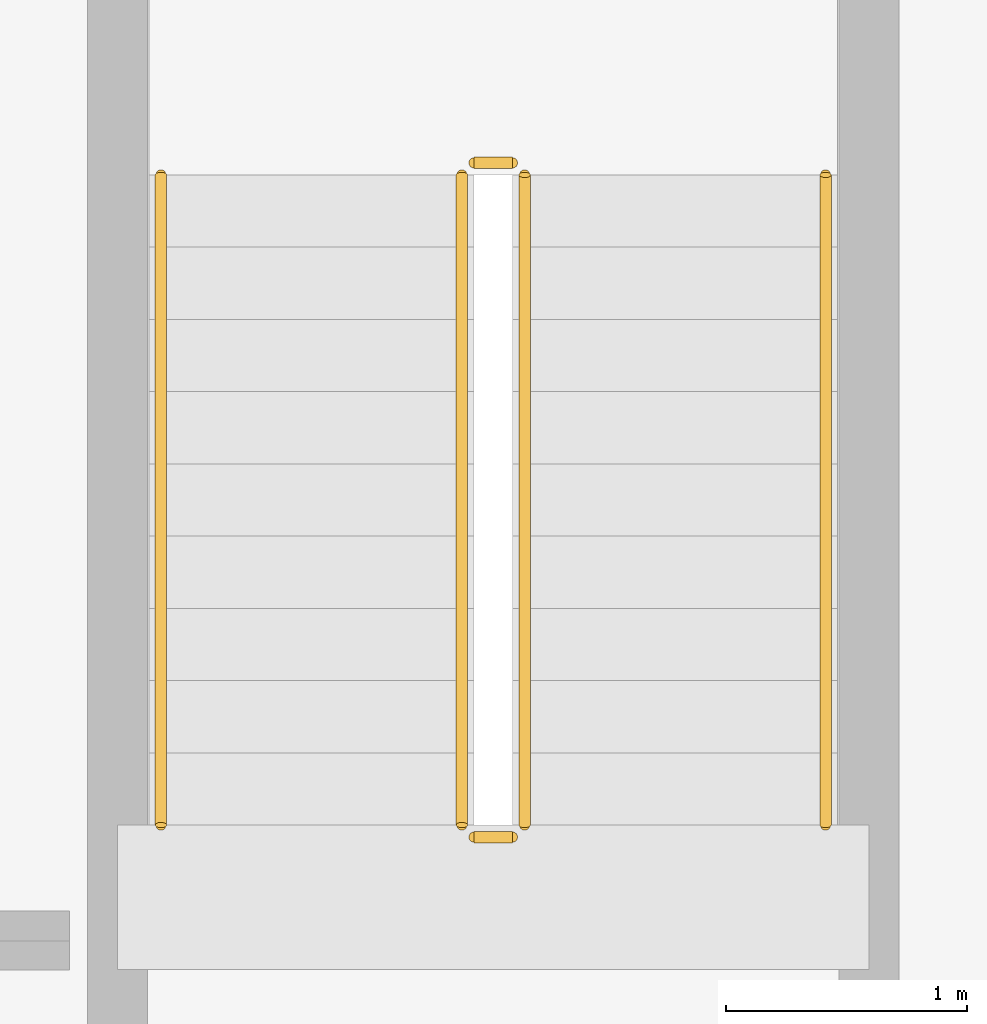
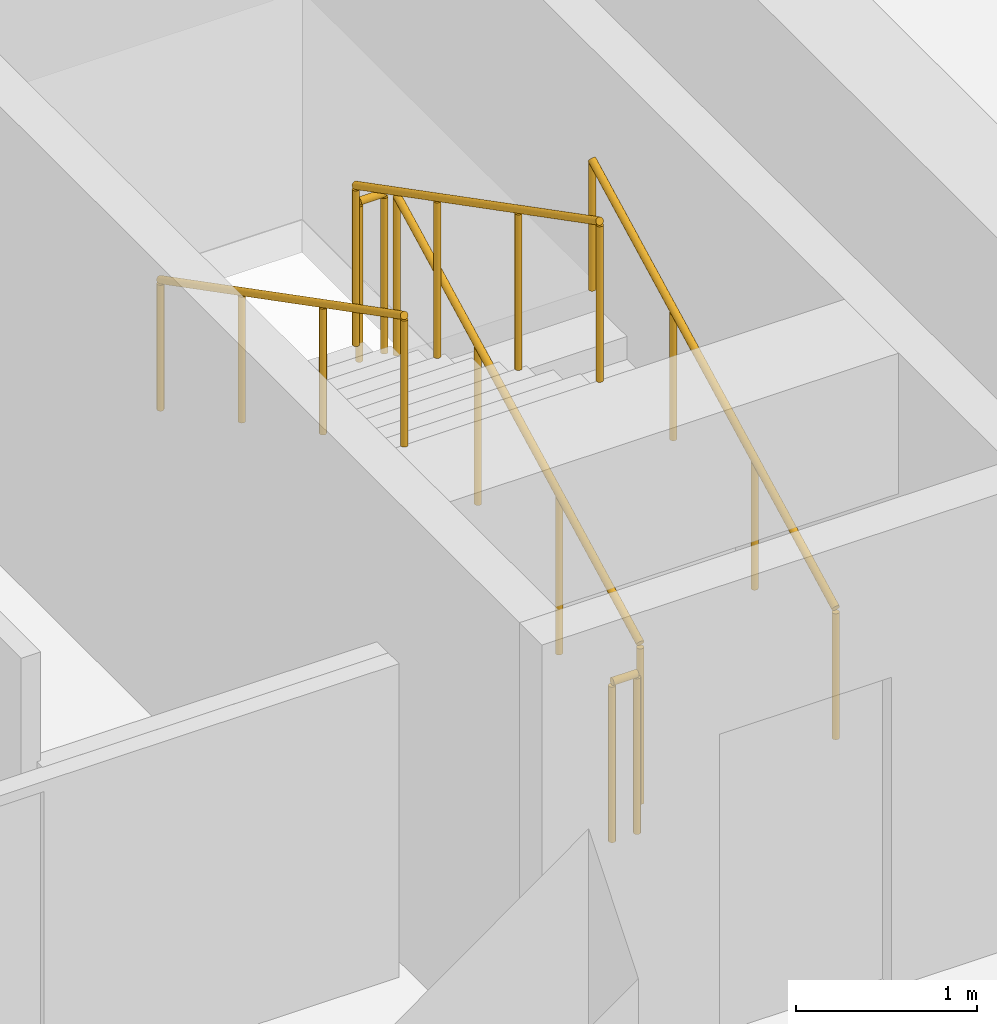
# One storey, part 9 of 9: 6 railings.
"""IFC4 building model written with IfcOpenShell, lengths in metres."""

from ifc_helpers import new_model, si_unit, direction, frame, origin, origin_2d, place, context, subcontext, project, spatial, circle, extrude, material, type_object, element, save


model = new_model("IFC4")

# Units and contexts
model_context = context("Model", 3, precision=1e-05, world=origin(), true_north=direction((0.0, 1.0)))
body_context = subcontext(model_context, "Body", "Model", "MODEL_VIEW")
ifc_project = project(units=[si_unit("LENGTHUNIT", "METRE"), si_unit("AREAUNIT", "SQUARE_METRE"), si_unit("VOLUMEUNIT", "CUBIC_METRE"), si_unit("PLANEANGLEUNIT", "RADIAN"), si_unit("MASSUNIT", "GRAM", prefix="KILO")], contexts=[model_context])

# Site, building, storey
site_placement = place(None, origin())
site = spatial("IfcSite", under=ifc_project, at=site_placement, CompositionType="ELEMENT")
building_placement = place(site_placement, origin())
building = spatial("IfcBuilding", under=site, at=building_placement, Name="Solvane Sanctuary Tower", CompositionType="ELEMENT")
storey_placement = place(building_placement, frame((0.0, 0.0, 229.5)))
storey = spatial("IfcBuildingStorey", under=building, at=storey_placement, Name="L70", CompositionType="ELEMENT", Elevation=229.5)

# Railings
ifc_material = material(Name="Architectural Stainless Steel 316", Category="steel")
railing_type_1 = type_object("IfcRailingType", Name="Railing GR-BALC-1150", PredefinedType="BALUSTRADE", material=ifc_material)
railing_1_placement = place(storey_placement, frame((46.340087890625, 19.699951171875, 0.155029296875)))
element("IfcRailing", 1, at=railing_1_placement, inside=storey, type_object=railing_type_1, Name="L70 ST-2 stair guard 1", PredefinedType="BALUSTRADE", context=body_context, shape_type="SweptSolid", body=[
    extrude(circle(Radius=0.02392578125, at=origin_2d()), frame((0.0, 0.0, 1.076171875), z_axis=(0.0, 0.888419900624, 0.459031676658), x_axis=(-1.0, 0.0, 0.0)), (0.0, 0.0, 1.0), 3.0390625),
    extrude(circle(Radius=0.02099609375, at=origin_2d()), origin(), (0.0, 0.0, 1.0), 1.052001953125),
    extrude(circle(Radius=0.02099609375, at=origin_2d()), frame((0.0, 0.89990234375, 0.465087890625)), (0.0, 0.0, 1.0), 1.052001953125),
    extrude(circle(Radius=0.02099609375, at=origin_2d()), frame((0.0, 1.800048828125, 0.929931640625)), (0.0, 0.0, 1.0), 1.052001953125),
    extrude(circle(Radius=0.02099609375, at=origin_2d()), frame((0.0, 2.699951171875, 1.39501953125)), (0.0, 0.0, 1.0), 1.052001953125),
])
railing_2_placement = place(storey_placement, frame((46.2900390625, 22.449951171875, 1.550048828125)))
element("IfcRailing", 2, at=railing_2_placement, inside=storey, type_object=railing_type_1, Name="L70 ST-2 stair guard 2", PredefinedType="BALUSTRADE", context=body_context, shape_type="SweptSolid", body=[
    extrude(circle(Radius=0.02392578125, at=origin_2d()), frame((0.0, 0.0, 1.076171875), z_axis=(-1.0, 0.0, 0.0), x_axis=(0.0, -1.0, 0.0)), (0.0, 0.0, 1.0), 0.16015625),
    extrude(circle(Radius=0.02099609375, at=origin_2d()), origin(), (0.0, 0.0, 1.0), 1.052001953125),
    extrude(circle(Radius=0.02099609375, at=origin_2d()), frame((-0.16015625, 0.0, 0.0)), (0.0, 0.0, 1.0), 1.052001953125),
])
railing_3_placement = place(storey_placement, frame((46.080078125, 22.39990234375, 1.705078125)))
element("IfcRailing", 3, at=railing_3_placement, inside=storey, type_object=railing_type_1, Name="L70 ST-2 stair guard 3", PredefinedType="BALUSTRADE", context=body_context, shape_type="SweptSolid", body=[
    extrude(circle(Radius=0.02392578125, at=origin_2d()), frame((0.0, 0.0, 1.076171875), z_axis=(0.0, -0.888419900624, 0.459031676658), x_axis=(1.0, 0.0, 0.0)), (0.0, 0.0, 1.0), 3.0390625),
    extrude(circle(Radius=0.02099609375, at=origin_2d()), origin(), (0.0, 0.0, 1.0), 1.052001953125),
    extrude(circle(Radius=0.02099609375, at=origin_2d()), frame((0.0, -0.89990234375, 0.465087890625)), (0.0, 0.0, 1.0), 1.052001953125),
    extrude(circle(Radius=0.02099609375, at=origin_2d()), frame((0.0, -1.800048828125, 0.929931640625)), (0.0, 0.0, 1.0), 1.052001953125),
    extrude(circle(Radius=0.02099609375, at=origin_2d()), frame((0.0, -2.699951171875, 1.39501953125)), (0.0, 0.0, 1.0), 1.052001953125),
])
railing_4_placement = place(storey_placement, frame((46.2900390625, 19.64990234375, 0.0)))
element("IfcRailing", 4, at=railing_4_placement, inside=storey, type_object=railing_type_1, Name="L70 ST-2 stair guard 4", PredefinedType="BALUSTRADE", context=body_context, shape_type="SweptSolid", body=[
    extrude(circle(Radius=0.02392578125, at=origin_2d()), frame((0.0, 0.0, 1.076171875), z_axis=(-1.0, 0.0, 0.0), x_axis=(0.0, -1.0, 0.0)), (0.0, 0.0, 1.0), 0.16015625),
    extrude(circle(Radius=0.02099609375, at=origin_2d()), origin(), (0.0, 0.0, 1.0), 1.052001953125),
    extrude(circle(Radius=0.02099609375, at=origin_2d()), frame((-0.16015625, 0.0, 0.0)), (0.0, 0.0, 1.0), 1.052001953125),
])
railing_type_2 = type_object("IfcRailingType", Name="Railing HR-STAIR-920", PredefinedType="HANDRAIL", material=ifc_material)
railing_5_placement = place(storey_placement, frame((47.590087890625, 19.699951171875, 0.155029296875)))
element("IfcRailing", 5, at=railing_5_placement, inside=storey, type_object=railing_type_2, Name="L70 ST-2 stair handrail 1", PredefinedType="HANDRAIL", context=body_context, shape_type="SweptSolid", body=[
    extrude(circle(Radius=0.02392578125, at=origin_2d()), frame((0.0, 0.0, 0.8759765625), z_axis=(0.0, 0.888419900624, 0.459031676658), x_axis=(-1.0, 0.0, 0.0)), (0.0, 0.0, 1.0), 3.0390625),
    extrude(circle(Radius=0.02099609375, at=origin_2d()), origin(), (0.0, 0.0, 1.0), 0.851806640625),
    extrude(circle(Radius=0.02099609375, at=origin_2d()), frame((0.0, 0.89990234375, 0.465087890625)), (0.0, 0.0, 1.0), 0.851806640625),
    extrude(circle(Radius=0.02099609375, at=origin_2d()), frame((0.0, 1.800048828125, 0.929931640625)), (0.0, 0.0, 1.0), 0.851806640625),
    extrude(circle(Radius=0.02099609375, at=origin_2d()), frame((0.0, 2.699951171875, 1.39501953125)), (0.0, 0.0, 1.0), 0.851806640625),
])
railing_6_placement = place(storey_placement, frame((44.830078125, 22.39990234375, 1.705078125)))
element("IfcRailing", 6, at=railing_6_placement, inside=storey, type_object=railing_type_2, Name="L70 ST-2 stair handrail 2", PredefinedType="HANDRAIL", context=body_context, shape_type="SweptSolid", body=[
    extrude(circle(Radius=0.02392578125, at=origin_2d()), frame((0.0, 0.0, 0.8759765625), z_axis=(0.0, -0.888419900624, 0.459031676658), x_axis=(1.0, 0.0, 0.0)), (0.0, 0.0, 1.0), 3.0390625),
    extrude(circle(Radius=0.02099609375, at=origin_2d()), origin(), (0.0, 0.0, 1.0), 0.851806640625),
    extrude(circle(Radius=0.02099609375, at=origin_2d()), frame((0.0, -0.89990234375, 0.465087890625)), (0.0, 0.0, 1.0), 0.851806640625),
    extrude(circle(Radius=0.02099609375, at=origin_2d()), frame((0.0, -1.800048828125, 0.929931640625)), (0.0, 0.0, 1.0), 0.851806640625),
    extrude(circle(Radius=0.02099609375, at=origin_2d()), frame((0.0, -2.699951171875, 1.39501953125)), (0.0, 0.0, 1.0), 0.851806640625),
])

save(model, "model.ifc")
